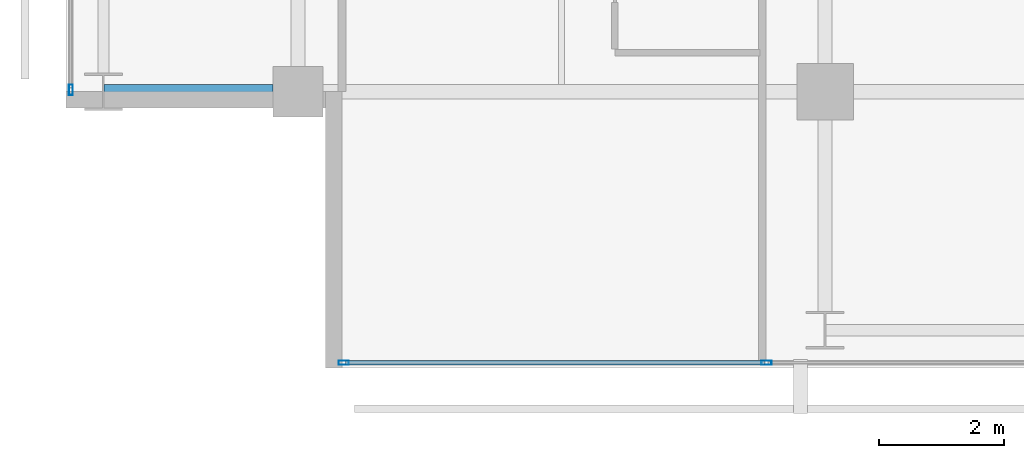
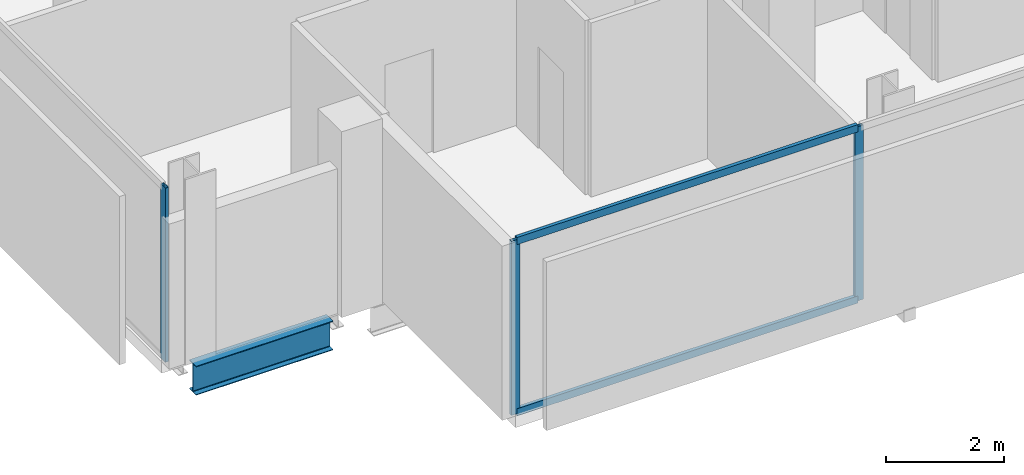
# One storey, part 2 of 33: 5 members, 1 beam, 2 elements without a shape of their own.
"""IFC4 building model written with IfcOpenShell, lengths in metres."""

import ifcopenshell
import ifcopenshell.guid

model = None  # the IFC model being written
_history = None  # IfcOwnerHistory: only IFC2X3 demands one
_inside = {}  # id of a spatial element -> (the spatial element, [elements in it])
_under = {}  # id of a project, library or spatial element -> (it, [spatial elements below it])
_declared = {}  # id of a project -> (the project, [libraries it declares])
_typed = {}  # id of a type object -> (the type object, [elements of that type])
_made_of = {}  # id of a material, layer set ... -> (it, [elements and type objects made of it])


def new_model(schema):
    """Start an empty IFC model of exactly this schema.

    Asked for "IFC4X3", IfcOpenShell would pick the latest addendum, in which some entities
    have other attributes; the version numbers below select the first issue.
    IFC2X3 requires an IfcOwnerHistory on every rooted entity: one is made here for all.
    """
    global model, _history
    if schema == "IFC4X3":
        model = ifcopenshell.file(schema_version=(4, 3, 0, 0))
    else:
        model = ifcopenshell.file(schema=schema)
    _inside.clear()
    _under.clear()
    _declared.clear()
    _typed.clear()
    _made_of.clear()
    _history = None
    if model.schema == "IFC2X3":
        org = make("IfcOrganization", Name="unknown")
        user = make(
            "IfcPersonAndOrganization",
            ThePerson=make("IfcPerson", FamilyName="unknown"),
            TheOrganization=org,
        )
        app = make(
            "IfcApplication",
            ApplicationDeveloper=org,
            Version="unknown",
            ApplicationFullName="unknown",
            ApplicationIdentifier="unknown",
        )
        _history = make(
            "IfcOwnerHistory",
            OwningUser=user,
            OwningApplication=app,
            ChangeAction="ADDED",
            CreationDate=0,
        )
    return model


def make(cls, **values):
    """One entity of the class cls with the attributes given. An attribute that is None is left unset."""
    return model.create_entity(
        cls, **{name: value for name, value in values.items() if value is not None}
    )


def rooted(cls, **values):
    """An entity with a GlobalId (a new one), such as an element, a storey or a relation."""
    return make(cls, GlobalId=ifcopenshell.guid.new(), OwnerHistory=_history, **values)


def si_unit(unit_type, name, prefix=None):
    """IfcSIUnit, for example si_unit("LENGTHUNIT", "METRE", prefix="MILLI")."""
    return make("IfcSIUnit", UnitType=unit_type, Prefix=prefix, Name=name)


def assignment(units):
    """IfcUnitAssignment: the units of a project."""
    return None if units is None else make("IfcUnitAssignment", Units=units)


def point(xyz):
    """IfcCartesianPoint."""
    return None if xyz is None else make("IfcCartesianPoint", Coordinates=xyz)


def direction(xyz):
    """IfcDirection."""
    return None if xyz is None else make("IfcDirection", DirectionRatios=xyz)


def frame(location, z_axis=None, x_axis=None):
    """IfcAxis2Placement3D, a coordinate frame: its origin and axes. An axis left out is left unset."""
    return make(
        "IfcAxis2Placement3D",
        Location=point(location),
        Axis=direction(z_axis),
        RefDirection=direction(x_axis),
    )


def frame_2d(location, x_axis=None):
    """IfcAxis2Placement2D, a coordinate frame in the plane: its origin and x axis."""
    return make(
        "IfcAxis2Placement2D", Location=point(location), RefDirection=direction(x_axis)
    )


def origin():
    """The frame at (0, 0, 0) with its axes left unset."""
    return frame((0.0, 0.0, 0.0))


def origin_2d():
    """The frame at (0, 0) in the plane with its x axis left unset."""
    return frame_2d((0.0, 0.0))


def place(relative_to, where):
    """IfcLocalPlacement: puts the frame where relative to a parent placement (None: the world)."""
    return make(
        "IfcLocalPlacement", PlacementRelTo=relative_to, RelativePlacement=where
    )


def context(
    kind, dimensions, precision=None, world=None, true_north=None, identifier=None
):
    """IfcGeometricRepresentationContext, for example the 3D "Model" context."""
    return make(
        "IfcGeometricRepresentationContext",
        ContextIdentifier=identifier,
        ContextType=kind,
        CoordinateSpaceDimension=dimensions,
        Precision=precision,
        WorldCoordinateSystem=world,
        TrueNorth=true_north,
    )


def subcontext(parent, identifier, kind, view, scale=None):
    """IfcGeometricRepresentationSubContext, for example "Body" below "Model"."""
    return make(
        "IfcGeometricRepresentationSubContext",
        ContextIdentifier=identifier,
        ContextType=kind,
        ParentContext=parent,
        TargetScale=scale,
        TargetView=view,
    )


def project(units=None, contexts=None):
    """IfcProject with its units and contexts."""
    return rooted(
        "IfcProject",
        Name="project",
        RepresentationContexts=contexts,
        UnitsInContext=assignment(units),
    )


def spatial(cls, under=None, at=None, **own):
    """A site, building, storey or space (cls), placed at a placement, below another one or the project."""
    s = rooted(cls, ObjectPlacement=at, **own)
    if under is not None:
        _under.setdefault(under.id(), (under, []))[1].append(s)
    return s


def profile(cls, at=None, kind="AREA", **sizes):
    """A parametric profile (cls). Its sizes go by their IFC names, for example OverallWidth=200.0."""
    return make(cls, ProfileType=kind, Position=at, **sizes)


def hollow_rectangle(**sizes):
    """IfcRectangleHollowProfileDef."""
    return profile("IfcRectangleHollowProfileDef", **sizes)


def i_section(**sizes):
    """IfcIShapeProfileDef."""
    return profile("IfcIShapeProfileDef", **sizes)


def extrude(swept, where, along, depth):
    """IfcExtrudedAreaSolid: the profile swept, set in the frame where, extruded along a direction by depth."""
    return make(
        "IfcExtrudedAreaSolid",
        SweptArea=swept,
        Position=where,
        ExtrudedDirection=direction(along),
        Depth=depth,
    )


def shape(context_of_items, identifier, shape_type, items):
    """IfcShapeRepresentation: the items that make up one representation, for example the "Body"."""
    return make(
        "IfcShapeRepresentation",
        ContextOfItems=context_of_items,
        RepresentationIdentifier=identifier,
        RepresentationType=shape_type,
        Items=items,
    )


def material(Name=None, Category=None):
    """IfcMaterial."""
    return make("IfcMaterial", Name=Name, Category=Category)


def layer(
    of_material, thickness, ventilated=None, Name=None, Category=None, Priority=None
):
    """IfcMaterialLayer: one layer of a wall or slab, of a material (None: an air gap)."""
    return make(
        "IfcMaterialLayer",
        Material=of_material,
        LayerThickness=thickness,
        IsVentilated=ventilated,
        Name=Name,
        Category=Category,
        Priority=Priority,
    )


def layer_set(layers, Name=None):
    """IfcMaterialLayerSet."""
    return make("IfcMaterialLayerSet", MaterialLayers=layers, LayerSetName=Name)


def material_profile(
    of_material, cross_section, Name=None, Category=None, Priority=None
):
    """IfcMaterialProfile: a cross section and its material."""
    return make(
        "IfcMaterialProfile",
        Name=Name,
        Material=of_material,
        Profile=cross_section,
        Priority=Priority,
        Category=Category,
    )


def profile_set(profiles, Name=None, composite=None):
    """IfcMaterialProfileSet."""
    return make(
        "IfcMaterialProfileSet",
        Name=Name,
        MaterialProfiles=profiles,
        CompositeProfile=composite,
    )


def made_of(thing, what):
    """Note that an element or type object is made of a material, layer set ...; save() writes the relation."""
    if what is not None:
        _made_of.setdefault(what.id(), (what, []))[1].append(thing)
    return thing


def type_object(cls, material=None, **own):
    """A type object (cls), such as IfcWallType, which elements share."""
    return made_of(rooted(cls, **own), material)


def element(
    cls,
    number,
    at=None,
    inside=None,
    cuts=None,
    type_object=None,
    material=None,
    context=None,
    identifier="Body",
    shape_type=None,
    held_by="IfcProductDefinitionShape",
    body=None,
    shapes=None,
    **own,
):
    """One element of the class cls, such as IfcWall. Its Tag is "e" and its number.

    at: its placement. inside: the storey or other place that contains it. cuts: it is an
    opening in that element (IfcRelVoidsElement). A single representation is given by context,
    identifier, shape_type and body (its items); several are given by shapes. held_by: the class
    of the entity that holds the representations. save() writes the other relations.
    """
    e = rooted(cls, Tag="e%d" % number, ObjectPlacement=at, **own)
    if body is not None:
        shapes = [shape(context, identifier, shape_type, body)]
    if shapes is not None:
        e.Representation = make(held_by, Representations=shapes)
    if inside is not None:
        _inside.setdefault(inside.id(), (inside, []))[1].append(e)
    if cuts is not None:
        rooted(
            "IfcRelVoidsElement", RelatingBuildingElement=cuts, RelatedOpeningElement=e
        )
    if type_object is not None:
        _typed.setdefault(type_object.id(), (type_object, []))[1].append(e)
    return made_of(e, material)


def aggregate(whole, parts):
    """IfcRelAggregates: a whole, such as a stair, and the parts it consists of."""
    return rooted("IfcRelAggregates", RelatingObject=whole, RelatedObjects=parts)


def save(model, path):
    """Write the relations noted so far, then the file.

    IfcRelAggregates (storeys below a building ...), IfcRelContainedInSpatialStructure (elements
    in a storey), IfcRelDefinesByType, IfcRelAssociatesMaterial and IfcRelDeclares: one each for
    every whole, place, type object, material and project.
    """
    for whole, parts in _under.values():
        aggregate(whole, parts)
    for where, things in _inside.values():
        rooted(
            "IfcRelContainedInSpatialStructure",
            RelatedElements=things,
            RelatingStructure=where,
        )
    for kind, things in _typed.values():
        rooted("IfcRelDefinesByType", RelatedObjects=things, RelatingType=kind)
    for what, things in _made_of.values():
        rooted("IfcRelAssociatesMaterial", RelatedObjects=things, RelatingMaterial=what)
    for by, libraries in _declared.values():
        rooted("IfcRelDeclares", RelatingContext=by, RelatedDefinitions=libraries)
    model.write(path)


model = new_model("IFC4")

# Units and contexts
model_context = context("Model", 3, precision=1e-05, world=origin(), true_north=direction((0.0, 1.0)))
body_context = subcontext(model_context, "Body", "Model", "MODEL_VIEW")
ifc_project = project(units=[si_unit("LENGTHUNIT", "METRE"), si_unit("AREAUNIT", "SQUARE_METRE"), si_unit("VOLUMEUNIT", "CUBIC_METRE"), si_unit("PLANEANGLEUNIT", "RADIAN"), si_unit("MASSUNIT", "GRAM", prefix="KILO")], contexts=[model_context])

# Site, building, storey
site_placement = place(None, origin())
site = spatial("IfcSite", under=ifc_project, at=site_placement, CompositionType="ELEMENT")
building_placement = place(site_placement, origin())
building = spatial("IfcBuilding", under=site, at=building_placement, Name="Maruvema Waterfront Hotel and Observation Tower", CompositionType="ELEMENT")
storey_placement = place(building_placement, frame((0.0, 0.0, 158.199951171875)))
storey = spatial("IfcBuildingStorey", under=building, at=storey_placement, Name="L38", CompositionType="ELEMENT", Elevation=158.199951171875)

# Curtain wall, members
ifc_material_1 = material(Name="Anodised bronze aluminium and solar-control low-E IGU", Category="aluminium")
ifc_layer = layer(ifc_material_1, 0.159912109375, Name="Zone 2 Amber Inner Thermal Curtain Wall System CW-03")
ifc_layer_set = layer_set([ifc_layer], Name="Anodised bronze aluminium and solar-control low-E IGU")
curtain_wall_type = type_object("IfcCurtainWallType", Name="Zone 2 Amber Inner Thermal Curtain Wall System CW-03", PredefinedType="USERDEFINED", material=ifc_layer_set)
curtain_wall_1_placement = place(storey_placement, origin())
curtain_wall_1 = element("IfcCurtainWall", 1, at=curtain_wall_1_placement, inside=storey, type_object=curtain_wall_type, Name="L38 Curtain Wall CW-L38-S", ObjectType="UNITISED CURTAIN WALL", PredefinedType="USERDEFINED")
ifc_material_2 = material(Name="Anodised architectural bronze aluminium", Category="aluminium")
ifc_material_profile_1 = material_profile(ifc_material_2, hollow_rectangle(XDim=0.070068359375, YDim=0.14990234375, WallThickness=0.00390625, at=origin_2d()), Name="ALU-T70x150")
ifc_profile_set_1 = profile_set([ifc_material_profile_1], Name="Anodised architectural bronze aluminium")
member_type_1 = type_object("IfcMemberType", Name="Curtain Wall Horizontal Transom ALU-T70x150", PredefinedType="USERDEFINED", material=ifc_profile_set_1)
member_1_placement = place(storey_placement, frame((17.56005859375, 4.679931640625, 0.030029296875), z_axis=(1.0, 0.0, 0.0), x_axis=(0.0, 1.0, 0.0)))
member_1 = element("IfcMember", 2, at=member_1_placement, type_object=member_type_1, Name="CW-03 transom 1.1", ObjectType="TRANSOM", PredefinedType="USERDEFINED", context=body_context, shape_type="SweptSolid", body=[
    extrude(hollow_rectangle(XDim=0.070068359375, YDim=0.14990234375, WallThickness=0.00390625, at=origin_2d()), origin(), (0.0, 0.0, 1.0), 6.676513671875),
])
member_2_placement = place(storey_placement, frame((17.56005859375, 4.679931640625, 3.580078125), z_axis=(1.0, 0.0, 0.0), x_axis=(0.0, 1.0, 0.0)))
member_2 = element("IfcMember", 3, at=member_2_placement, type_object=member_type_1, Name="CW-03 transom 1.2", ObjectType="TRANSOM", PredefinedType="USERDEFINED", context=body_context, shape_type="SweptSolid", body=[
    extrude(hollow_rectangle(XDim=0.070068359375, YDim=0.14990234375, WallThickness=0.00390625, at=origin_2d()), origin(), (0.0, 0.0, 1.0), 6.676513671875),
])
ifc_material_3 = material(Name="Anodised architectural bronze aluminium", Category="aluminium")
ifc_material_profile_2 = material_profile(ifc_material_3, hollow_rectangle(XDim=0.06494140625, YDim=0.1650390625, WallThickness=0.00390625, at=origin_2d()), Name="ALU-M65x165")
ifc_profile_set_2 = profile_set([ifc_material_profile_2], Name="Anodised architectural bronze aluminium")
member_type_2 = type_object("IfcMemberType", Name="Curtain Wall Primary Mullion ALU-M65x165", PredefinedType="MULLION", material=ifc_profile_set_2)
member_3_placement = place(storey_placement, frame((17.530029296875, 4.679931640625, 0.0), z_axis=(0.0, 0.0, 1.0), x_axis=(0.0, 1.0, 0.0)))
member_3 = element("IfcMember", 4, at=member_3_placement, type_object=member_type_2, Name="CW-03 mullion 1", PredefinedType="MULLION", context=body_context, shape_type="SweptSolid", body=[
    extrude(hollow_rectangle(XDim=0.06494140625, YDim=0.1650390625, WallThickness=0.00390625, at=origin_2d()), origin(), (0.0, 0.0, 1.0), 3.610107421875),
])
member_4_placement = place(storey_placement, frame((24.2666015625, 4.679931640625, 0.0), z_axis=(0.0, 0.0, 1.0), x_axis=(0.0, 1.0, 0.0)))
member_4 = element("IfcMember", 5, at=member_4_placement, type_object=member_type_2, Name="CW-03 mullion 2", PredefinedType="MULLION", context=body_context, shape_type="SweptSolid", body=[
    extrude(hollow_rectangle(XDim=0.06494140625, YDim=0.1650390625, WallThickness=0.00390625, at=origin_2d()), origin(), (0.0, 0.0, 1.0), 3.610107421875),
])
aggregate(curtain_wall_1, [member_3, member_4, member_1, member_2])

# Curtain wall, member
curtain_wall_2_placement = place(storey_placement, origin())
curtain_wall_2 = element("IfcCurtainWall", 6, at=curtain_wall_2_placement, inside=storey, type_object=curtain_wall_type, Name="L38 Curtain Wall CW-L38-W", ObjectType="UNITISED CURTAIN WALL", PredefinedType="USERDEFINED")
member_5_placement = place(storey_placement, frame((13.179931640625, 9.030029296875, 0.0), z_axis=(0.0, 0.0, 1.0), x_axis=(1.0, 0.0, 0.0)))
member_5 = element("IfcMember", 7, at=member_5_placement, type_object=member_type_2, Name="CW-03 mullion 7", PredefinedType="MULLION", context=body_context, shape_type="SweptSolid", body=[
    extrude(hollow_rectangle(XDim=0.06494140625, YDim=0.1650390625, WallThickness=0.00390625, at=origin_2d()), origin(), (0.0, 0.0, 1.0), 3.610107421875),
])
aggregate(curtain_wall_2, [member_5])

# Beam
ifc_material_4 = material(Name="Steel ASTM A572 Grade 50", Category="steel")
ifc_material_profile_3 = material_profile(ifc_material_4, i_section(OverallWidth=0.22802734375, OverallDepth=0.60302734375, WebThickness=0.010498046875, FlangeThickness=0.014892578125, FilletRadius=0.01806640625, at=origin_2d()), Name="W610x101.0")
ifc_profile_set_3 = profile_set([ifc_material_profile_3], Name="Steel ASTM A572 Grade 50")
beam_type = type_object("IfcBeamType", Name="Primary Floor Girder W610x101.0", PredefinedType="BEAM", material=ifc_profile_set_3)
beam_placement = place(storey_placement, frame((13.71240234375, 9.0, -0.54150390625), z_axis=(1.0, 0.0, 0.0), x_axis=(0.0, 1.0, 0.0)))
element("IfcBeam", 8, at=beam_placement, inside=storey, type_object=beam_type, Name="L38 Floor Girder EW-04", PredefinedType="BEAM", context=body_context, shape_type="SweptSolid", body=[
    extrude(i_section(OverallWidth=0.22802734375, OverallDepth=0.60302734375, WebThickness=0.010498046875, FlangeThickness=0.014892578125, FilletRadius=0.01806640625, at=origin_2d()), origin(), (0.0, 0.0, 1.0), 2.6875),
])

save(model, "model.ifc")
